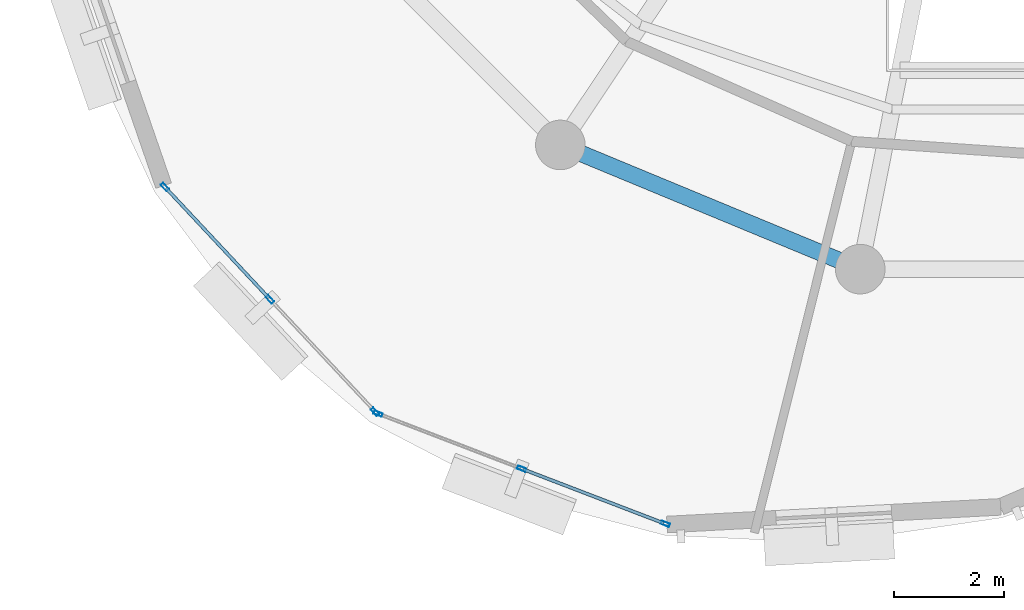
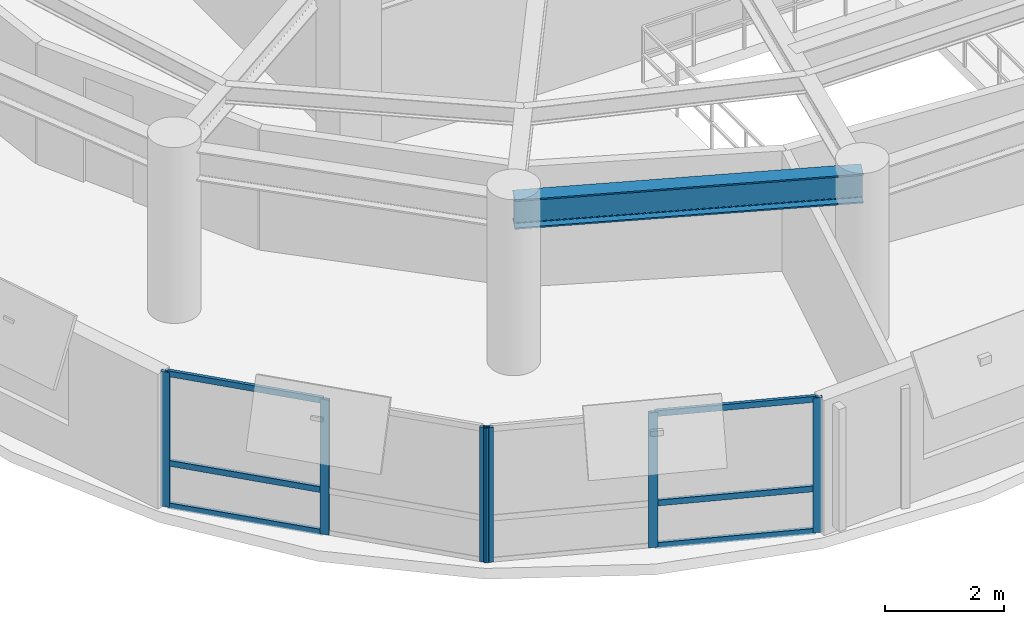
# One storey, part 2 of 11: 12 members, 1 beam, 2 elements without a shape of their own.
"""IFC4 building model written with IfcOpenShell, lengths in metres."""

from ifc_helpers import new_model, si_unit, direction, frame, origin, origin_2d, place, context, subcontext, project, spatial, hollow_rectangle, i_section, extrude, material, layer, layer_set, material_profile, profile_set, type_object, element, aggregate, save


model = new_model("IFC4")

# Units and contexts
model_context = context("Model", 3, precision=1e-05, world=origin(), true_north=direction((0.0, 1.0)))
body_context = subcontext(model_context, "Body", "Model", "MODEL_VIEW")
ifc_project = project(units=[si_unit("LENGTHUNIT", "METRE"), si_unit("AREAUNIT", "SQUARE_METRE"), si_unit("VOLUMEUNIT", "CUBIC_METRE"), si_unit("PLANEANGLEUNIT", "RADIAN"), si_unit("MASSUNIT", "GRAM", prefix="KILO"), si_unit("THERMODYNAMICTEMPERATUREUNIT", "KELVIN"), si_unit("POWERUNIT", "WATT")], contexts=[model_context])

# Site, building, storey
site_placement = place(None, origin())
site = spatial("IfcSite", under=ifc_project, at=site_placement, CompositionType="ELEMENT")
building_placement = place(site_placement, origin())
building = spatial("IfcBuilding", under=site, at=building_placement, Name="Ocrelia Relay Tower", CompositionType="ELEMENT")
storey_placement = place(building_placement, frame((0.0, 0.0, 262.800048828125)))
storey = spatial("IfcBuildingStorey", under=building, at=storey_placement, Name="L65", CompositionType="ELEMENT", Elevation=262.800048828125)

# Beam
ifc_material_1 = material(Name="Steel S355", Category="steel")
ifc_material_profile_1 = material_profile(ifc_material_1, i_section(OverallWidth=0.300048828125, OverallDepth=0.60009765625, WebThickness=0.015380859375, FlangeThickness=0.030029296875, FilletRadius=0.027099609375, at=origin_2d()), Name="HEB 600")
ifc_profile_set_1 = profile_set([ifc_material_profile_1], Name="Steel S355")
beam_type = type_object("IfcBeamType", Name="BM-HEB600", PredefinedType="BEAM", material=ifc_profile_set_1)
beam_placement = place(storey_placement, frame((25.61083984375, 13.44482421875, 3.079833984375), z_axis=(0.923884009374, -0.382672624084, 0.0), x_axis=(0.382672624084, 0.923884009374, 0.0)))
element("IfcBeam", 1, at=beam_placement, inside=storey, type_object=beam_type, Name="L65 Perimeter Spandrel Beam S11", PredefinedType="BEAM", context=body_context, shape_type="SweptSolid", body=[
    extrude(i_section(OverallWidth=0.300048828125, OverallDepth=0.60009765625, WebThickness=0.015380859375, FlangeThickness=0.030029296875, FilletRadius=0.027099609375, at=origin_2d()), origin(), (0.0, 0.0, 1.0), 5.891845703125),
])

# Curtain wall, members
ifc_material_2 = material(Name="Aluminium and solar-control low-E glass", Category="aluminium")
ifc_layer = layer(ifc_material_2, 0.179931640625, Name="Aluminium and solar-control low-E glass")
ifc_layer_set = layer_set([ifc_layer], Name="Aluminium and solar-control low-E glass")
curtain_wall_type = type_object("IfcCurtainWallType", Name="CW-SYS-Z4-EXEC", PredefinedType="NOTDEFINED", material=ifc_layer_set)
curtain_wall_1_placement = place(storey_placement, origin())
curtain_wall_1 = element("IfcCurtainWall", 2, at=curtain_wall_1_placement, inside=storey, type_object=curtain_wall_type, Name="L65 Elliptical Tower Curtain Wall Bay 09", PredefinedType="NOTDEFINED")
ifc_material_3 = material(Name="Anodised bronze aluminium", Category="aluminium")
ifc_material_profile_2 = material_profile(ifc_material_3, hollow_rectangle(XDim=0.06494140625, YDim=0.159912109375, WallThickness=0.0048828125, at=origin_2d()), Name="CW-MUL-160x65")
ifc_profile_set_2 = profile_set([ifc_material_profile_2], Name="Anodised bronze aluminium")
member_type_1 = type_object("IfcMemberType", Name="CW-SYS-Z4-EXEC-MUL", PredefinedType="MULLION", material=ifc_profile_set_2)
member_1_placement = place(storey_placement, frame((18.433837890625, 12.68212890625, 0.0), z_axis=(0.0, 0.0, 1.0), x_axis=(0.73019365246, 0.683240243185, 0.0)))
member_1 = element("IfcMember", 3, at=member_1_placement, type_object=member_type_1, Name="CW-Z4 mullion 1", PredefinedType="MULLION", context=body_context, shape_type="SweptSolid", body=[
    extrude(hollow_rectangle(XDim=0.06494140625, YDim=0.159912109375, WallThickness=0.0048828125, at=origin_2d()), origin(), (0.0, 0.0, 1.0), 2.760009765625),
])
member_2_placement = place(storey_placement, frame((20.341796875, 10.642822265625, 0.0), z_axis=(0.0, 0.0, 1.0), x_axis=(0.73019365246, 0.683240243185, 0.0)))
member_2 = element("IfcMember", 4, at=member_2_placement, type_object=member_type_1, Name="CW-Z4 mullion 2", PredefinedType="MULLION", context=body_context, shape_type="SweptSolid", body=[
    extrude(hollow_rectangle(XDim=0.06494140625, YDim=0.159912109375, WallThickness=0.0048828125, at=origin_2d()), origin(), (0.0, 0.0, 1.0), 2.760009765625),
])
member_3_placement = place(storey_placement, frame((22.25, 8.603759765625, 0.0), z_axis=(0.0, 0.0, 1.0), x_axis=(0.73019365246, 0.683240243185, 0.0)))
member_3 = element("IfcMember", 5, at=member_3_placement, type_object=member_type_1, Name="CW-Z4 mullion 3", PredefinedType="MULLION", context=body_context, shape_type="SweptSolid", body=[
    extrude(hollow_rectangle(XDim=0.06494140625, YDim=0.159912109375, WallThickness=0.0048828125, at=origin_2d()), origin(), (0.0, 0.0, 1.0), 2.760009765625),
])

curtain_wall_2_placement = place(storey_placement, origin())
curtain_wall_2 = element("IfcCurtainWall", 6, at=curtain_wall_2_placement, inside=storey, type_object=curtain_wall_type, Name="L65 Elliptical Tower Curtain Wall Bay 10", PredefinedType="NOTDEFINED")
member_4_placement = place(storey_placement, frame((22.302490234375, 8.568359375, 0.0), z_axis=(0.0, 0.0, 1.0), x_axis=(0.358333833227, 0.93359352181, 0.0)))
member_4 = element("IfcMember", 7, at=member_4_placement, type_object=member_type_1, Name="CW-Z4 mullion 1", PredefinedType="MULLION", context=body_context, shape_type="SweptSolid", body=[
    extrude(hollow_rectangle(XDim=0.06494140625, YDim=0.159912109375, WallThickness=0.0048828125, at=origin_2d()), origin(), (0.0, 0.0, 1.0), 2.760009765625),
])
member_5_placement = place(storey_placement, frame((24.90966796875, 7.567626953125, 0.0), z_axis=(0.0, 0.0, 1.0), x_axis=(0.358333833227, 0.93359352181, 0.0)))
member_5 = element("IfcMember", 8, at=member_5_placement, type_object=member_type_1, Name="CW-Z4 mullion 2", PredefinedType="MULLION", context=body_context, shape_type="SweptSolid", body=[
    extrude(hollow_rectangle(XDim=0.06494140625, YDim=0.159912109375, WallThickness=0.0048828125, at=origin_2d()), origin(), (0.0, 0.0, 1.0), 2.760009765625),
])
member_6_placement = place(storey_placement, frame((27.516845703125, 6.56689453125, 0.0), z_axis=(0.0, 0.0, 1.0), x_axis=(0.358333833227, 0.93359352181, 0.0)))
member_6 = element("IfcMember", 9, at=member_6_placement, type_object=member_type_1, Name="CW-Z4 mullion 3", PredefinedType="MULLION", context=body_context, shape_type="SweptSolid", body=[
    extrude(hollow_rectangle(XDim=0.06494140625, YDim=0.159912109375, WallThickness=0.0048828125, at=origin_2d()), origin(), (0.0, 0.0, 1.0), 2.760009765625),
])

# Member
ifc_material_profile_3 = material_profile(ifc_material_3, hollow_rectangle(XDim=0.06005859375, YDim=0.1201171875, WallThickness=0.0048828125, at=origin_2d()), Name="CW-TRN-120x60")
ifc_profile_set_3 = profile_set([ifc_material_profile_3], Name="Anodised bronze aluminium")
member_type_2 = type_object("IfcMemberType", Name="CW-SYS-Z4-EXEC-TRN", PredefinedType="USERDEFINED", material=ifc_profile_set_3)
member_7_placement = place(storey_placement, frame((18.4560546875, 12.658447265625, 0.030029296875), z_axis=(0.683220259195, -0.730212350912, 0.0), x_axis=(0.730212350912, 0.683220259195, 0.0)))
member_7 = element("IfcMember", 10, at=member_7_placement, type_object=member_type_2, Name="CW-Z4 transom 1.1", ObjectType="TRANSOM", PredefinedType="USERDEFINED", context=body_context, shape_type="SweptSolid", body=[
    extrude(hollow_rectangle(XDim=0.06005859375, YDim=0.1201171875, WallThickness=0.0048828125, at=origin_2d()), origin(), (0.0, 0.0, 1.0), 2.7275390625),
])

member_8_placement = place(storey_placement, frame((18.4560546875, 12.658447265625, 0.89990234375), z_axis=(0.683220259195, -0.730212350912, 0.0), x_axis=(0.730212350912, 0.683220259195, 0.0)))
member_8 = element("IfcMember", 11, at=member_8_placement, type_object=member_type_2, Name="CW-Z4 transom 1.2", ObjectType="TRANSOM", PredefinedType="USERDEFINED", context=body_context, shape_type="SweptSolid", body=[
    extrude(hollow_rectangle(XDim=0.06005859375, YDim=0.1201171875, WallThickness=0.0048828125, at=origin_2d()), origin(), (0.0, 0.0, 1.0), 2.7275390625),
])

member_9_placement = place(storey_placement, frame((18.4560546875, 12.658447265625, 2.72998046875), z_axis=(0.683220259195, -0.730212350912, 0.0), x_axis=(0.730212350912, 0.683220259195, 0.0)))
member_9 = element("IfcMember", 12, at=member_9_placement, type_object=member_type_2, Name="CW-Z4 transom 1.3", ObjectType="TRANSOM", PredefinedType="USERDEFINED", context=body_context, shape_type="SweptSolid", body=[
    extrude(hollow_rectangle(XDim=0.06005859375, YDim=0.1201171875, WallThickness=0.0048828125, at=origin_2d()), origin(), (0.0, 0.0, 1.0), 2.7275390625),
])

aggregate(curtain_wall_1, [member_1, member_2, member_3, member_7, member_8, member_9])

member_10_placement = place(storey_placement, frame((24.93994140625, 7.555908203125, 0.030029296875), z_axis=(0.933612935235, -0.358283249904, 0.0), x_axis=(0.358283249904, 0.933612935235, 0.0)))
member_10 = element("IfcMember", 13, at=member_10_placement, type_object=member_type_2, Name="CW-Z4 transom 2.1", ObjectType="TRANSOM", PredefinedType="USERDEFINED", context=body_context, shape_type="SweptSolid", body=[
    extrude(hollow_rectangle(XDim=0.06005859375, YDim=0.1201171875, WallThickness=0.0048828125, at=origin_2d()), origin(), (0.0, 0.0, 1.0), 2.727783203125),
])

member_11_placement = place(storey_placement, frame((24.93994140625, 7.555908203125, 0.89990234375), z_axis=(0.933612935235, -0.358283249904, 0.0), x_axis=(0.358283249904, 0.933612935235, 0.0)))
member_11 = element("IfcMember", 14, at=member_11_placement, type_object=member_type_2, Name="CW-Z4 transom 2.2", ObjectType="TRANSOM", PredefinedType="USERDEFINED", context=body_context, shape_type="SweptSolid", body=[
    extrude(hollow_rectangle(XDim=0.06005859375, YDim=0.1201171875, WallThickness=0.0048828125, at=origin_2d()), origin(), (0.0, 0.0, 1.0), 2.727783203125),
])

member_12_placement = place(storey_placement, frame((24.93994140625, 7.555908203125, 2.72998046875), z_axis=(0.933612935235, -0.358283249904, 0.0), x_axis=(0.358283249904, 0.933612935235, 0.0)))
member_12 = element("IfcMember", 15, at=member_12_placement, type_object=member_type_2, Name="CW-Z4 transom 2.3", ObjectType="TRANSOM", PredefinedType="USERDEFINED", context=body_context, shape_type="SweptSolid", body=[
    extrude(hollow_rectangle(XDim=0.06005859375, YDim=0.1201171875, WallThickness=0.0048828125, at=origin_2d()), origin(), (0.0, 0.0, 1.0), 2.727783203125),
])

aggregate(curtain_wall_2, [member_4, member_5, member_6, member_10, member_11, member_12])

save(model, "model.ifc")
